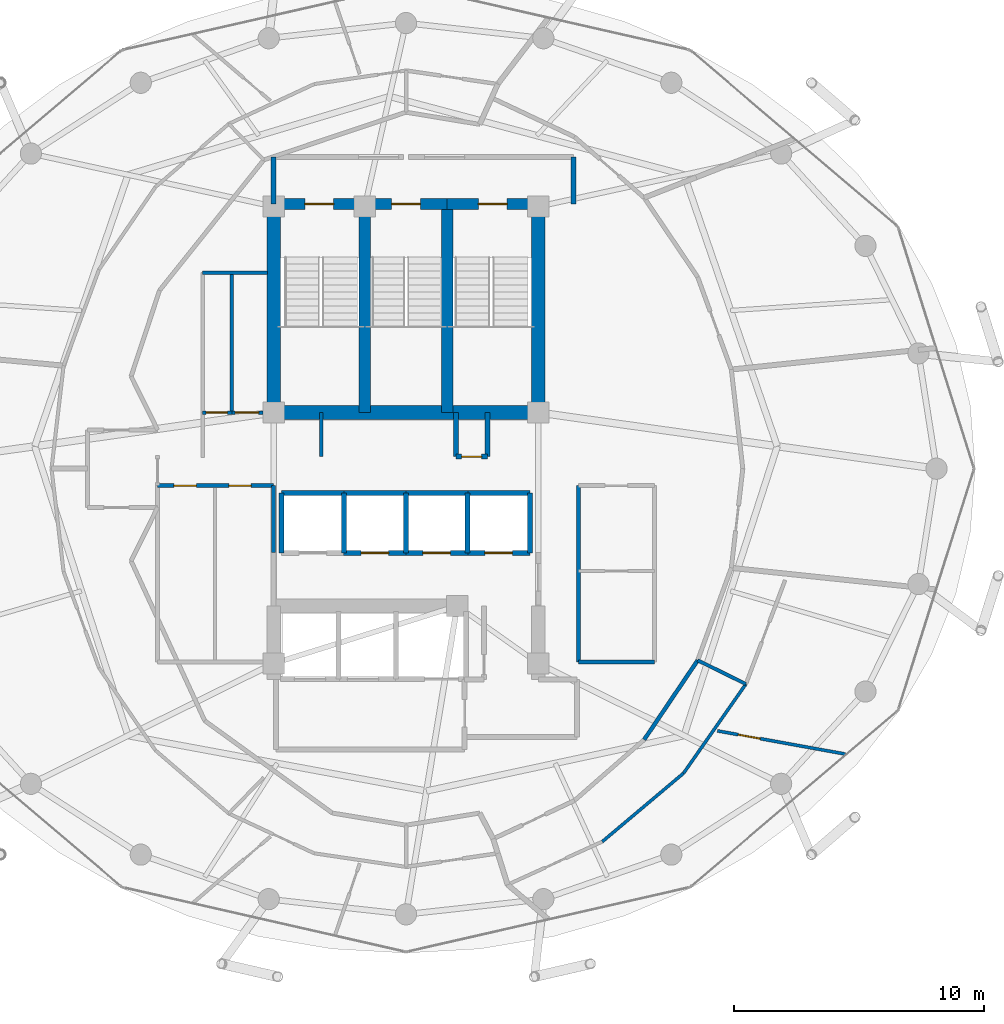
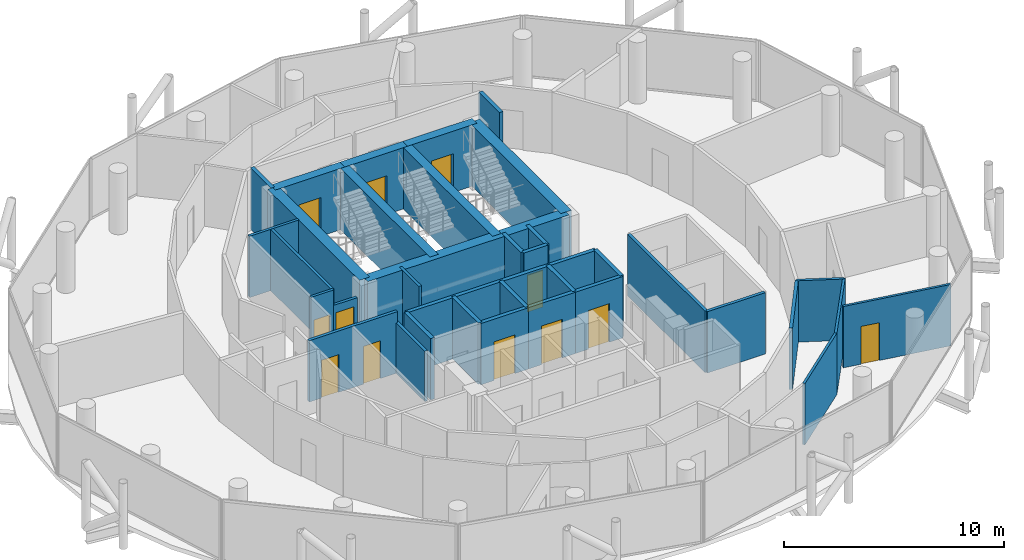
# One storey, part 24 of 27: 39 walls, 12 doors, 12 openings.
"""IFC4 building model written with IfcOpenShell, lengths in metres."""

from ifc_helpers import new_model, si_unit, direction, frame, frame_2d, origin, place, context, subcontext, project, spatial, rectangle, extrude, material, layer, layer_set, type_object, element, fill, save


model = new_model("IFC4")

# Units and contexts
model_context = context("Model", 3, precision=1e-05, world=origin(), true_north=direction((0.0, 1.0)))
body_context = subcontext(model_context, "Body", "Model", "MODEL_VIEW")
ifc_project = project(units=[si_unit("LENGTHUNIT", "METRE"), si_unit("AREAUNIT", "SQUARE_METRE"), si_unit("VOLUMEUNIT", "CUBIC_METRE"), si_unit("PLANEANGLEUNIT", "RADIAN"), si_unit("MASSUNIT", "GRAM", prefix="KILO")], contexts=[model_context])

# Site, building, storey
site_placement = place(None, origin())
site = spatial("IfcSite", under=ifc_project, at=site_placement, CompositionType="ELEMENT")
building_placement = place(site_placement, origin())
building = spatial("IfcBuilding", under=site, at=building_placement, Name="Nuhasar Tower", CompositionType="ELEMENT")
storey_placement = place(building_placement, frame((0.0, 0.0, 244.64990234375)))
storey = spatial("IfcBuildingStorey", under=building, at=storey_placement, Name="L60", CompositionType="ELEMENT", Elevation=244.64990234375)

# Wall, opening, door
ifc_material_1 = material(Name="Concrete C50/60", Category="concrete")
ifc_layer_1 = layer(ifc_material_1, 0.449951171875)
ifc_layer_set_1 = layer_set([ifc_layer_1], Name="Concrete C50/60")
wall_type_1 = type_object("IfcWallType", Name="WL-CORE-450", PredefinedType="SHEAR", material=ifc_layer_set_1)
wall_1_placement = place(storey_placement, frame((37.35009765625, 37.39990234375, 0.0), z_axis=(0.0, 0.0, 1.0), x_axis=(-1.0, 0.0, 0.0)))
wall_1 = element("IfcWall", 1, at=wall_1_placement, inside=storey, type_object=wall_type_1, Name="L60 Stairwell Shear Wall ST01-N", PredefinedType="SHEAR", context=body_context, shape_type="SweptSolid", body=[
    extrude(rectangle(XDim=3.650146484375, YDim=0.449951171875, at=frame_2d((1.8251953125, 0.0))), origin(), (0.0, 0.0, 1.0), 3.41015625),
])
opening_1_placement = place(wall_1_placement, frame((1.25, 0.0, 0.0)))
opening_1 = element("IfcOpeningElement", 2, at=opening_1_placement, cuts=wall_1, Name="Opening DS-01", PredefinedType="OPENING", context=body_context, shape_type="SweptSolid", body=[
    extrude(rectangle(XDim=1.14990234375, YDim=2.14990234375, at=frame_2d((0.574951171875, 1.074951171875))), frame((0.0, 0.23486328125, 0.0), z_axis=(0.0, -1.0, 0.0), x_axis=(1.0, 0.0, 0.0)), (0.0, 0.0, 1.0), 0.469970703125),
])
ifc_material_2 = material(Name="Steel S355", Category="steel")
door_type_1 = type_object("IfcDoorType", Name="DR-STAIR-FD120-1150", OperationType="NOTDEFINED", PredefinedType="DOOR", material=ifc_material_2)
door_1_placement = place(opening_1_placement, origin())
door_1 = element("IfcDoor", 3, at=door_1_placement, inside=storey, type_object=door_type_1, Name="L60 Exit Stair ST-01 Door", OperationType="SINGLE_SWING_RIGHT", OverallHeight=2.14990234375, OverallWidth=1.14990234375, PredefinedType="DOOR", context=body_context, shape_type="SweptSolid", body=[
    extrude(rectangle(XDim=1.14990234375, YDim=2.14990234375, at=frame_2d((0.574951171875, 1.074951171875))), frame((0.0, 0.02490234375, 0.0), z_axis=(0.0, -1.0, 0.0), x_axis=(1.0, 0.0, 0.0)), (0.0, 0.0, 1.0), 0.050048828125),
])
fill(opening_1, door_1)

# Wall
wall_2_placement = place(storey_placement, frame((37.35009765625, 29.050048828125, 0.0), z_axis=(0.0, 0.0, 1.0), x_axis=(0.0, 1.0, 0.0)))
element("IfcWall", 4, at=wall_2_placement, inside=storey, type_object=wall_type_1, Name="L60 Stairwell Shear Wall ST01-E", PredefinedType="SHEAR", context=body_context, shape_type="SweptSolid", body=[
    extrude(rectangle(XDim=8.349853515625, YDim=0.449951171875, at=frame_2d((4.1748046875, 0.0))), origin(), (0.0, 0.0, 1.0), 3.41015625),
])

# Wall, opening, door
wall_3_placement = place(storey_placement, frame((40.64990234375, 37.39990234375, 0.0), z_axis=(0.0, 0.0, 1.0), x_axis=(-1.0, 0.0, 0.0)))
wall_3 = element("IfcWall", 5, at=wall_3_placement, inside=storey, type_object=wall_type_1, Name="L60 Stairwell Shear Wall ST03-N", PredefinedType="SHEAR", context=body_context, shape_type="SweptSolid", body=[
    extrude(rectangle(XDim=3.2998046875, YDim=0.449951171875, at=frame_2d((1.64990234375, 0.0))), origin(), (0.0, 0.0, 1.0), 3.41015625),
])
opening_2_placement = place(wall_3_placement, frame((1.074951171875, 0.0, 0.0)))
opening_2 = element("IfcOpeningElement", 6, at=opening_2_placement, cuts=wall_3, Name="Opening DS-01", PredefinedType="OPENING", context=body_context, shape_type="SweptSolid", body=[
    extrude(rectangle(XDim=1.14990234375, YDim=2.14990234375, at=frame_2d((0.574951171875, 1.074951171875))), frame((0.0, 0.23486328125, 0.0), z_axis=(0.0, -1.0, 0.0), x_axis=(1.0, 0.0, 0.0)), (0.0, 0.0, 1.0), 0.469970703125),
])
door_2_placement = place(opening_2_placement, origin())
door_2 = element("IfcDoor", 7, at=door_2_placement, inside=storey, type_object=door_type_1, Name="L60 Exit Stair ST-03 Door", OperationType="SINGLE_SWING_RIGHT", OverallHeight=2.14990234375, OverallWidth=1.14990234375, PredefinedType="DOOR", context=body_context, shape_type="SweptSolid", body=[
    extrude(rectangle(XDim=1.14990234375, YDim=2.14990234375, at=frame_2d((0.574951171875, 1.074951171875))), frame((0.0, 0.02490234375, 0.0), z_axis=(0.0, -1.0, 0.0), x_axis=(1.0, 0.0, 0.0)), (0.0, 0.0, 1.0), 0.050048828125),
])
fill(opening_2, door_2)

# Wall
wall_4_placement = place(storey_placement, frame((40.64990234375, 29.050048828125, 0.0), z_axis=(0.0, 0.0, 1.0), x_axis=(0.0, 1.0, 0.0)))
element("IfcWall", 8, at=wall_4_placement, inside=storey, type_object=wall_type_1, Name="L60 Stairwell Shear Wall ST03-E", PredefinedType="SHEAR", context=body_context, shape_type="SweptSolid", body=[
    extrude(rectangle(XDim=8.349853515625, YDim=0.449951171875, at=frame_2d((4.1748046875, 0.0))), origin(), (0.0, 0.0, 1.0), 3.41015625),
])

# Wall, opening, door
wall_5_placement = place(storey_placement, frame((44.300048828125, 37.39990234375, 0.0), z_axis=(0.0, 0.0, 1.0), x_axis=(-1.0, 0.0, 0.0)))
wall_5 = element("IfcWall", 9, at=wall_5_placement, inside=storey, type_object=wall_type_1, Name="L60 Stairwell Shear Wall ST02-N", PredefinedType="SHEAR", context=body_context, shape_type="SweptSolid", body=[
    extrude(rectangle(XDim=3.650146484375, YDim=0.449951171875, at=frame_2d((1.8251953125, 0.0))), origin(), (0.0, 0.0, 1.0), 3.41015625),
])
opening_3_placement = place(wall_5_placement, frame((1.25, 0.0, 0.0)))
opening_3 = element("IfcOpeningElement", 10, at=opening_3_placement, cuts=wall_5, Name="Opening DS-01", PredefinedType="OPENING", context=body_context, shape_type="SweptSolid", body=[
    extrude(rectangle(XDim=1.14990234375, YDim=2.14990234375, at=frame_2d((0.574951171875, 1.074951171875))), frame((0.0, 0.23486328125, 0.0), z_axis=(0.0, -1.0, 0.0), x_axis=(1.0, 0.0, 0.0)), (0.0, 0.0, 1.0), 0.469970703125),
])
door_3_placement = place(opening_3_placement, origin())
door_3 = element("IfcDoor", 11, at=door_3_placement, inside=storey, type_object=door_type_1, Name="L60 Exit Stair ST-02 Door", OperationType="SINGLE_SWING_LEFT", OverallHeight=2.14990234375, OverallWidth=1.14990234375, PredefinedType="DOOR", context=body_context, shape_type="SweptSolid", body=[
    extrude(rectangle(XDim=1.14990234375, YDim=2.14990234375, at=frame_2d((0.574951171875, 1.074951171875))), frame((0.0, 0.02490234375, 0.0), z_axis=(0.0, -1.0, 0.0), x_axis=(1.0, 0.0, 0.0)), (0.0, 0.0, 1.0), 0.050048828125),
])
fill(opening_3, door_3)

# Walls
ifc_material_3 = material(Name="Concrete C55/67", Category="concrete")
ifc_layer_2 = layer(ifc_material_3, 0.550048828125)
ifc_layer_set_2 = layer_set([ifc_layer_2], Name="Concrete C55/67")
wall_type_2 = type_object("IfcWallType", Name="WL-CORE-550", PredefinedType="SHEAR", material=ifc_layer_set_2)
for number, where, z_axis, x_axis, name in (
    (12, (33.699951171875, 29.050048828125, 0.0), (0.0, 0.0, 1.0), (0.0, 1.0, 0.0), "L60 Core Shear Wall CW-NW CW-550"),
    (13, (44.300048828125, 29.050048828125, 0.0), (0.0, 0.0, 1.0), (0.0, 1.0, 0.0), "L60 Core Shear Wall CW-NE CW-550"),
):
    element("IfcWall", number, at=place(storey_placement, frame(where, z_axis=z_axis, x_axis=x_axis)), inside=storey, type_object=wall_type_2, Name=name, PredefinedType="SHEAR", context=body_context, shape_type="SweptSolid", body=[
        extrude(rectangle(XDim=8.349853515625, YDim=0.550048828125, at=frame_2d((4.1748046875, 0.0))), origin(), (0.0, 0.0, 1.0), 3.41015625),
    ])
wall_6_placement = place(storey_placement, frame((33.699951171875, 29.050048828125, 0.0), z_axis=(0.0, 0.0, 1.0), x_axis=(1.0, 0.0, 0.0)))
element("IfcWall", 14, at=wall_6_placement, inside=storey, type_object=wall_type_2, Name="L60 Core Shear Wall CW-N1 CW-550", PredefinedType="SHEAR", context=body_context, shape_type="SweptSolid", body=[
    extrude(rectangle(XDim=10.60009765625, YDim=0.550048828125, at=frame_2d((5.300048828125, 0.0))), origin(), (0.0, 0.0, 1.0), 3.41015625),
])
ifc_material_4 = material(Name="Gypsum Board", Category="gypsum")
ifc_layer_3 = layer(ifc_material_4, 0.159912109375)
ifc_layer_set_3 = layer_set([ifc_layer_3], Name="Gypsum Board")
wall_type_3 = type_object("IfcWallType", Name="WL-CORR-160", PredefinedType="PARTITIONING", material=ifc_layer_set_3)
wall_7_placement = place(storey_placement, frame((33.699951171875, 23.449951171875, 0.0), z_axis=(0.0, 0.0, 1.0), x_axis=(0.0, 1.0, 0.0)))
element("IfcWall", 15, at=wall_7_placement, inside=storey, type_object=wall_type_3, Name="L60 Interior Partition RECL-B1-E", PredefinedType="PARTITIONING", context=body_context, shape_type="SweptSolid", body=[
    extrude(rectangle(XDim=2.670166015625, YDim=0.159912109375, at=frame_2d((1.3349609375, 0.0))), origin(), (0.0, 0.0, 1.0), 2.795166015625),
])

# Wall, openings, doors
wall_8_placement = place(storey_placement, frame((33.699951171875, 26.1201171875, 0.0), z_axis=(0.0, 0.0, 1.0), x_axis=(-1.0, 0.0, 0.0)))
wall_8 = element("IfcWall", 16, at=wall_8_placement, inside=storey, type_object=wall_type_3, Name="L60 Interior Partition RECL-B1-N", PredefinedType="PARTITIONING", context=body_context, shape_type="SweptSolid", body=[
    extrude(rectangle(XDim=4.64990234375, YDim=0.159912109375, at=frame_2d((2.324951171875, 0.0))), origin(), (0.0, 0.0, 1.0), 3.41015625),
])
opening_4_placement = place(wall_8_placement, frame((3.10009765625, 0.0, 0.0)))
opening_4 = element("IfcOpeningElement", 17, at=opening_4_placement, cuts=wall_8, Name="Opening DR-01", PredefinedType="OPENING", context=body_context, shape_type="SweptSolid", body=[
    extrude(rectangle(XDim=0.89990234375, YDim=2.10009765625, at=frame_2d((0.449951171875, 1.050048828125))), frame((0.0, 0.08984375, 0.0), z_axis=(0.0, -1.0, 0.0), x_axis=(1.0, 0.0, 0.0)), (0.0, 0.0, 1.0), 0.179931640625),
])
opening_5_placement = place(wall_8_placement, frame((0.89990234375, 0.0, 0.0)))
opening_5 = element("IfcOpeningElement", 18, at=opening_5_placement, cuts=wall_8, Name="Opening DR-01", PredefinedType="OPENING", context=body_context, shape_type="SweptSolid", body=[
    extrude(rectangle(XDim=0.89990234375, YDim=2.10009765625, at=frame_2d((0.449951171875, 1.050048828125))), frame((0.0, 0.08984375, 0.0), z_axis=(0.0, -1.0, 0.0), x_axis=(1.0, 0.0, 0.0)), (0.0, 0.0, 1.0), 0.179931640625),
])
ifc_material_5 = material(Name="Timber Oak", Category="wood")
door_type_2 = type_object("IfcDoorType", Name="DR-ROOM-900", OperationType="NOTDEFINED", PredefinedType="DOOR", material=ifc_material_5)
door_4_placement = place(opening_4_placement, origin())
door_4 = element("IfcDoor", 19, at=door_4_placement, inside=storey, type_object=door_type_2, Name="L60 Housekeeping Door", OperationType="SINGLE_SWING_RIGHT", OverallHeight=2.10009765625, OverallWidth=0.89990234375, PredefinedType="DOOR", context=body_context, shape_type="SweptSolid", body=[
    extrude(rectangle(XDim=0.89990234375, YDim=2.10009765625, at=frame_2d((0.449951171875, 1.050048828125))), frame((0.0, 0.02490234375, 0.0), z_axis=(0.0, -1.0, 0.0), x_axis=(1.0, 0.0, 0.0)), (0.0, 0.0, 1.0), 0.050048828125),
])
fill(opening_4, door_4)
door_5_placement = place(opening_5_placement, origin())
door_5 = element("IfcDoor", 20, at=door_5_placement, inside=storey, type_object=door_type_2, Name="L60 Valet Pantry Door", OperationType="SINGLE_SWING_LEFT", OverallHeight=2.10009765625, OverallWidth=0.89990234375, PredefinedType="DOOR", context=body_context, shape_type="SweptSolid", body=[
    extrude(rectangle(XDim=0.89990234375, YDim=2.10009765625, at=frame_2d((0.449951171875, 1.050048828125))), frame((0.0, 0.02490234375, 0.0), z_axis=(0.0, -1.0, 0.0), x_axis=(1.0, 0.0, 0.0)), (0.0, 0.0, 1.0), 0.050048828125),
])
fill(opening_5, door_5)

# Walls
wall_9_placement = place(storey_placement, frame((45.89990234375, 19.050048828125, 0.0), z_axis=(0.0, 0.0, 1.0), x_axis=(1.0, 0.0, 0.0)))
element("IfcWall", 21, at=wall_9_placement, inside=storey, type_object=wall_type_3, Name="L60 Interior Partition RECL-B2-S", PredefinedType="PARTITIONING", context=body_context, shape_type="SweptSolid", body=[
    extrude(rectangle(XDim=3.050048828125, YDim=0.159912109375, at=frame_2d((1.52490234375, 0.0))), origin(), (0.0, 0.0, 1.0), 3.41015625),
])
wall_10_placement = place(storey_placement, frame((45.89990234375, 19.050048828125, 0.0), z_axis=(0.0, 0.0, 1.0), x_axis=(0.0, 1.0, 0.0)))
element("IfcWall", 22, at=wall_10_placement, inside=storey, type_object=wall_type_3, Name="L60 Interior Partition RECL-B2-W", PredefinedType="PARTITIONING", context=body_context, shape_type="SweptSolid", body=[
    extrude(rectangle(XDim=7.070068359375, YDim=0.159912109375, at=frame_2d((3.53515625, 0.0))), origin(), (0.0, 0.0, 1.0), 3.41015625),
])
wall_11_placement = place(storey_placement, frame((48.5390625, 15.946044921875, 0.0), z_axis=(0.0, 0.0, 1.0), x_axis=(0.55915897058, 0.829060459568, 0.0)))
element("IfcWall", 23, at=wall_11_placement, inside=storey, type_object=wall_type_3, Name="L60 Interior Partition CORR-42", PredefinedType="PARTITIONING", context=body_context, shape_type="SweptSolid", body=[
    extrude(rectangle(XDim=3.83447265625, YDim=0.159912109375, at=frame_2d((1.917236328125, 0.0))), origin(), (0.0, 0.0, 1.0), 3.41015625),
])
ifc_material_6 = material(Name="Concrete C45/55", Category="concrete")
ifc_layer_4 = layer(ifc_material_6, 0.199951171875)
ifc_layer_set_4 = layer_set([ifc_layer_4], Name="Concrete C45/55")
wall_type_4 = type_object("IfcWallType", Name="WL-LOBBY-200", PredefinedType="SOLIDWALL", material=ifc_layer_set_4)
for number, where, z_axis, x_axis, name in (
    (24, (33.699951171875, 37.39990234375, 0.0), (0.0, 0.0, 1.0), (0.0, 1.0, 0.0), "L60 Interior Partition NSL-W"),
    (25, (45.699951171875, 37.39990234375, 0.0), (0.0, 0.0, 1.0), (0.0, 1.0, 0.0), "L60 Interior Partition NSL-E"),
):
    element("IfcWall", number, at=place(storey_placement, frame(where, z_axis=z_axis, x_axis=x_axis)), inside=storey, type_object=wall_type_4, Name=name, PredefinedType="SOLIDWALL", context=body_context, shape_type="SweptSolid", body=[
        extrude(rectangle(XDim=1.880126953125, YDim=0.199951171875, at=frame_2d((0.93994140625, 0.0))), origin(), (0.0, 0.0, 1.0), 3.41015625),
    ])
ifc_layer_5 = layer(ifc_material_4, 0.125)
ifc_layer_set_5 = layer_set([ifc_layer_5], Name="Gypsum Board")
wall_type_5 = type_object("IfcWallType", Name="WL-PART-125", PredefinedType="PARTITIONING", material=ifc_layer_set_5)
wall_12_placement = place(storey_placement, frame((46.860107421875, 11.861083984375, 0.0), z_axis=(0.0, 0.0, 1.0), x_axis=(0.765004906077, 0.644024451149, 0.0)))
element("IfcWall", 26, at=wall_12_placement, inside=storey, type_object=wall_type_5, Name="L60 Interior Partition UMID-01-A-40", PredefinedType="PARTITIONING", context=body_context, shape_type="SweptSolid", body=[
    extrude(rectangle(XDim=4.256103515625, YDim=0.125, at=frame_2d((2.1279296875, 0.0))), origin(), (0.0, 0.0, 1.0), 3.41015625),
])
wall_13_placement = place(storey_placement, frame((50.115966796875, 14.60205078125, 0.0), z_axis=(0.0, 0.0, 1.0), x_axis=(0.572992451041, 0.819560645132, 0.0)))
element("IfcWall", 27, at=wall_13_placement, inside=storey, type_object=wall_type_5, Name="L60 Interior Partition UMID-01-A-42", PredefinedType="PARTITIONING", context=body_context, shape_type="SweptSolid", body=[
    extrude(rectangle(XDim=4.359619140625, YDim=0.125, at=frame_2d((2.1796875, 0.0))), origin(), (0.0, 0.0, 1.0), 3.41015625),
])

# Wall, opening, door
wall_14_placement = place(storey_placement, frame((51.471923828125, 16.299072265625, 0.0), z_axis=(0.0, 0.0, 1.0), x_axis=(0.983950739816, -0.178440302665, 0.0)))
wall_14 = element("IfcWall", 28, at=wall_14_placement, inside=storey, type_object=wall_type_5, Name="L60 Interior Partition UOUT-01-B1", PredefinedType="PARTITIONING", context=body_context, shape_type="SweptSolid", body=[
    extrude(rectangle(XDim=5.212890625, YDim=0.125, at=frame_2d((2.6064453125, 0.0))), origin(), (0.0, 0.0, 1.0), 3.41015625),
])
opening_6_placement = place(wall_14_placement, frame((0.85009765625, 0.0, 0.0)))
opening_6 = element("IfcOpeningElement", 29, at=opening_6_placement, cuts=wall_14, Name="Opening DR-01", PredefinedType="OPENING", context=body_context, shape_type="SweptSolid", body=[
    extrude(rectangle(XDim=0.89990234375, YDim=2.10009765625, at=frame_2d((0.449951171875, 1.050048828125))), frame((0.0, 0.072509765625, 0.0), z_axis=(0.0, -1.0, 0.0), x_axis=(1.0, 0.0, 0.0)), (0.0, 0.0, 1.0), 0.14501953125),
])
door_6_placement = place(opening_6_placement, origin())
door_6 = element("IfcDoor", 30, at=door_6_placement, inside=storey, type_object=door_type_2, Name="L60 U01 Bedroom Door", OperationType="SINGLE_SWING_LEFT", OverallHeight=2.10009765625, OverallWidth=0.89990234375, PredefinedType="DOOR", context=body_context, shape_type="SweptSolid", body=[
    extrude(rectangle(XDim=0.89990234375, YDim=2.10009765625, at=frame_2d((0.449951171875, 1.050048828125))), frame((0.0, 0.02490234375, 0.0), z_axis=(0.0, -1.0, 0.0), x_axis=(1.0, 0.0, 0.0)), (0.0, 0.0, 1.0), 0.050048828125),
])
fill(opening_6, door_6)

# Walls
ifc_layer_6 = layer(ifc_material_6, 0.199951171875)
ifc_layer_set_6 = layer_set([ifc_layer_6], Name="Concrete C45/55")
wall_type_6 = type_object("IfcWallType", Name="WL-SHAFT-200", PredefinedType="SOLIDWALL", material=ifc_layer_set_6)
for number, where, z_axis, x_axis, name in (
    (31, (41.0, 27.280029296875, 0.0), (0.0, 0.0, 1.0), (0.0, 1.0, 0.0), "L60 Interior Partition RSRN-W"),
    (32, (42.260009765625, 27.280029296875, 0.0), (0.0, 0.0, 1.0), (0.0, 1.0, 0.0), "L60 Interior Partition RSRN-E"),
):
    element("IfcWall", number, at=place(storey_placement, frame(where, z_axis=z_axis, x_axis=x_axis)), inside=storey, type_object=wall_type_6, Name=name, PredefinedType="SOLIDWALL", context=body_context, shape_type="SweptSolid", body=[
        extrude(rectangle(XDim=1.77001953125, YDim=0.199951171875, at=frame_2d((0.885009765625, 0.0))), origin(), (0.0, 0.0, 1.0), 3.41015625),
    ])

# Wall, opening, door
wall_15_placement = place(storey_placement, frame((41.0, 27.280029296875, 0.0), z_axis=(0.0, 0.0, 1.0), x_axis=(1.0, 0.0, 0.0)))
wall_15 = element("IfcWall", 33, at=wall_15_placement, inside=storey, type_object=wall_type_6, Name="L60 Interior Partition RSRN-S", PredefinedType="SOLIDWALL", context=body_context, shape_type="SweptSolid", body=[
    extrude(rectangle(XDim=1.260009765625, YDim=0.199951171875, at=frame_2d((0.6298828125, 0.0))), origin(), (0.0, 0.0, 1.0), 3.41015625),
])
opening_7_placement = place(wall_15_placement, frame((0.22998046875, 0.0, 0.0)))
opening_7 = element("IfcOpeningElement", 34, at=opening_7_placement, cuts=wall_15, Name="Opening DM-01", PredefinedType="OPENING", context=body_context, shape_type="SweptSolid", body=[
    extrude(rectangle(XDim=0.800048828125, YDim=2.050048828125, at=frame_2d((0.39990234375, 1.02490234375))), frame((0.0, 0.10986328125, 0.0), z_axis=(0.0, -1.0, 0.0), x_axis=(1.0, 0.0, 0.0)), (0.0, 0.0, 1.0), 0.219970703125),
])
door_type_3 = type_object("IfcDoorType", Name="DR-RISER-FD60-800", OperationType="NOTDEFINED", PredefinedType="DOOR", material=ifc_material_2)
door_7_placement = place(opening_7_placement, origin())
door_7 = element("IfcDoor", 35, at=door_7_placement, inside=storey, type_object=door_type_3, Name="L60 North Smoke Riser Door", OperationType="SINGLE_SWING_RIGHT", OverallHeight=2.050048828125, OverallWidth=0.800048828125, PredefinedType="DOOR", context=body_context, shape_type="SweptSolid", body=[
    extrude(rectangle(XDim=0.800048828125, YDim=2.050048828125, at=frame_2d((0.39990234375, 1.02490234375))), frame((0.0, 0.02490234375, 0.0), z_axis=(0.0, -1.0, 0.0), x_axis=(1.0, 0.0, 0.0)), (0.0, 0.0, 1.0), 0.050048828125),
])
fill(opening_7, door_7)

# Walls
wall_16_placement = place(storey_placement, frame((34.02001953125, 25.830078125, 0.0), z_axis=(0.0, 0.0, 1.0), x_axis=(1.0, 0.0, 0.0)))
element("IfcWall", 36, at=wall_16_placement, inside=storey, type_object=wall_type_6, Name="L60 Interior Partition SHF-PL-H01-N", PredefinedType="SOLIDWALL", context=body_context, shape_type="SweptSolid", body=[
    extrude(rectangle(XDim=2.5, YDim=0.199951171875, at=frame_2d((1.25, 0.0))), origin(), (0.0, 0.0, 1.0), 3.41015625),
])
for number, where, z_axis, x_axis, name in (
    (37, (34.02001953125, 23.419921875, 0.0), (0.0, 0.0, 1.0), (0.0, 1.0, 0.0), "L60 Interior Partition SHF-PL-H01-W"),
    (38, (36.510009765625, 23.419921875, 0.0), (0.0, 0.0, 1.0), (0.0, 1.0, 0.0), "L60 Interior Partition SHF-PL-H01-E"),
):
    element("IfcWall", number, at=place(storey_placement, frame(where, z_axis=z_axis, x_axis=x_axis)), inside=storey, type_object=wall_type_6, Name=name, PredefinedType="SOLIDWALL", context=body_context, shape_type="SweptSolid", body=[
        extrude(rectangle(XDim=2.41015625, YDim=0.199951171875, at=frame_2d((1.205078125, 0.0))), origin(), (0.0, 0.0, 1.0), 3.41015625),
    ])

# Wall, opening, door
wall_17_placement = place(storey_placement, frame((36.5, 23.419921875, 0.0), z_axis=(0.0, 0.0, 1.0), x_axis=(1.0, 0.0, 0.0)))
wall_17 = element("IfcWall", 39, at=wall_17_placement, inside=storey, type_object=wall_type_6, Name="L60 Interior Partition SHF-PL-H02-S", PredefinedType="SOLIDWALL", context=body_context, shape_type="SweptSolid", body=[
    extrude(rectangle(XDim=2.5, YDim=0.199951171875, at=frame_2d((1.25, 0.0))), origin(), (0.0, 0.0, 1.0), 3.41015625),
])
opening_8_placement = place(wall_17_placement, frame((0.699951171875, 0.0, 0.0)))
opening_8 = element("IfcOpeningElement", 40, at=opening_8_placement, cuts=wall_17, Name="Opening LD-H02", PredefinedType="OPENING", context=body_context, shape_type="SweptSolid", body=[
    extrude(rectangle(XDim=1.10009765625, YDim=2.14990234375, at=frame_2d((0.550048828125, 1.074951171875))), frame((0.0, 0.10986328125, 0.0), z_axis=(0.0, -1.0, 0.0), x_axis=(1.0, 0.0, 0.0)), (0.0, 0.0, 1.0), 0.219970703125),
])
ifc_material_7 = material(Name="Stainless Steel 316L", Category="steel")
door_type_4 = type_object("IfcDoorType", Name="LD-PAX-1100", OperationType="DOUBLE_DOOR_SLIDING", PredefinedType="DOOR", material=ifc_material_7)
door_8_placement = place(opening_8_placement, origin())
door_8 = element("IfcDoor", 41, at=door_8_placement, inside=storey, type_object=door_type_4, Name="L60 Lift Landing Door PL-H02", OperationType="DOUBLE_DOOR_SLIDING", OverallHeight=2.14990234375, OverallWidth=1.10009765625, PredefinedType="DOOR", context=body_context, shape_type="SweptSolid", body=[
    extrude(rectangle(XDim=1.10009765625, YDim=2.14990234375, at=frame_2d((0.550048828125, 1.074951171875))), frame((0.0, 0.02490234375, 0.0), z_axis=(0.0, -1.0, 0.0), x_axis=(1.0, 0.0, 0.0)), (0.0, 0.0, 1.0), 0.050048828125),
])
fill(opening_8, door_8)

# Walls
wall_18_placement = place(storey_placement, frame((36.5, 25.830078125, 0.0), z_axis=(0.0, 0.0, 1.0), x_axis=(1.0, 0.0, 0.0)))
element("IfcWall", 42, at=wall_18_placement, inside=storey, type_object=wall_type_6, Name="L60 Interior Partition SHF-PL-H02-N", PredefinedType="SOLIDWALL", context=body_context, shape_type="SweptSolid", body=[
    extrude(rectangle(XDim=2.5, YDim=0.199951171875, at=frame_2d((1.25, 0.0))), origin(), (0.0, 0.0, 1.0), 3.41015625),
])
wall_19_placement = place(storey_placement, frame((38.989990234375, 23.419921875, 0.0), z_axis=(0.0, 0.0, 1.0), x_axis=(0.0, 1.0, 0.0)))
element("IfcWall", 43, at=wall_19_placement, inside=storey, type_object=wall_type_6, Name="L60 Interior Partition SHF-PL-H02-E", PredefinedType="SOLIDWALL", context=body_context, shape_type="SweptSolid", body=[
    extrude(rectangle(XDim=2.41015625, YDim=0.199951171875, at=frame_2d((1.205078125, 0.0))), origin(), (0.0, 0.0, 1.0), 3.41015625),
])

# Wall, opening, door
wall_20_placement = place(storey_placement, frame((38.97998046875, 23.419921875, 0.0), z_axis=(0.0, 0.0, 1.0), x_axis=(1.0, 0.0, 0.0)))
wall_20 = element("IfcWall", 44, at=wall_20_placement, inside=storey, type_object=wall_type_6, Name="L60 Interior Partition SHF-PL-H03-S", PredefinedType="SOLIDWALL", context=body_context, shape_type="SweptSolid", body=[
    extrude(rectangle(XDim=2.5, YDim=0.199951171875, at=frame_2d((1.25, 0.0))), origin(), (0.0, 0.0, 1.0), 3.41015625),
])
opening_9_placement = place(wall_20_placement, frame((0.699951171875, 0.0, 0.0)))
opening_9 = element("IfcOpeningElement", 45, at=opening_9_placement, cuts=wall_20, Name="Opening LD-H03", PredefinedType="OPENING", context=body_context, shape_type="SweptSolid", body=[
    extrude(rectangle(XDim=1.10009765625, YDim=2.14990234375, at=frame_2d((0.550048828125, 1.074951171875))), frame((0.0, 0.10986328125, 0.0), z_axis=(0.0, -1.0, 0.0), x_axis=(1.0, 0.0, 0.0)), (0.0, 0.0, 1.0), 0.219970703125),
])
door_9_placement = place(opening_9_placement, origin())
door_9 = element("IfcDoor", 46, at=door_9_placement, inside=storey, type_object=door_type_4, Name="L60 Lift Landing Door PL-H03", OperationType="DOUBLE_DOOR_SLIDING", OverallHeight=2.14990234375, OverallWidth=1.10009765625, PredefinedType="DOOR", context=body_context, shape_type="SweptSolid", body=[
    extrude(rectangle(XDim=1.10009765625, YDim=2.14990234375, at=frame_2d((0.550048828125, 1.074951171875))), frame((0.0, 0.02490234375, 0.0), z_axis=(0.0, -1.0, 0.0), x_axis=(1.0, 0.0, 0.0)), (0.0, 0.0, 1.0), 0.050048828125),
])
fill(opening_9, door_9)

# Walls
wall_21_placement = place(storey_placement, frame((38.97998046875, 25.830078125, 0.0), z_axis=(0.0, 0.0, 1.0), x_axis=(1.0, 0.0, 0.0)))
element("IfcWall", 47, at=wall_21_placement, inside=storey, type_object=wall_type_6, Name="L60 Interior Partition SHF-PL-H03-N", PredefinedType="SOLIDWALL", context=body_context, shape_type="SweptSolid", body=[
    extrude(rectangle(XDim=2.5, YDim=0.199951171875, at=frame_2d((1.25, 0.0))), origin(), (0.0, 0.0, 1.0), 3.41015625),
])
wall_22_placement = place(storey_placement, frame((41.469970703125, 23.419921875, 0.0), z_axis=(0.0, 0.0, 1.0), x_axis=(0.0, 1.0, 0.0)))
element("IfcWall", 48, at=wall_22_placement, inside=storey, type_object=wall_type_6, Name="L60 Interior Partition SHF-PL-H03-E", PredefinedType="SOLIDWALL", context=body_context, shape_type="SweptSolid", body=[
    extrude(rectangle(XDim=2.41015625, YDim=0.199951171875, at=frame_2d((1.205078125, 0.0))), origin(), (0.0, 0.0, 1.0), 3.41015625),
])

# Wall, opening, door
wall_23_placement = place(storey_placement, frame((41.4599609375, 23.419921875, 0.0), z_axis=(0.0, 0.0, 1.0), x_axis=(1.0, 0.0, 0.0)))
wall_23 = element("IfcWall", 49, at=wall_23_placement, inside=storey, type_object=wall_type_6, Name="L60 Interior Partition SHF-PL-H04-S", PredefinedType="SOLIDWALL", context=body_context, shape_type="SweptSolid", body=[
    extrude(rectangle(XDim=2.5, YDim=0.199951171875, at=frame_2d((1.25, 0.0))), origin(), (0.0, 0.0, 1.0), 3.41015625),
])
opening_10_placement = place(wall_23_placement, frame((0.699951171875, 0.0, 0.0)))
opening_10 = element("IfcOpeningElement", 50, at=opening_10_placement, cuts=wall_23, Name="Opening LD-H04", PredefinedType="OPENING", context=body_context, shape_type="SweptSolid", body=[
    extrude(rectangle(XDim=1.10009765625, YDim=2.14990234375, at=frame_2d((0.550048828125, 1.074951171875))), frame((0.0, 0.10986328125, 0.0), z_axis=(0.0, -1.0, 0.0), x_axis=(1.0, 0.0, 0.0)), (0.0, 0.0, 1.0), 0.219970703125),
])
door_10_placement = place(opening_10_placement, origin())
door_10 = element("IfcDoor", 51, at=door_10_placement, inside=storey, type_object=door_type_4, Name="L60 Lift Landing Door PL-H04", OperationType="DOUBLE_DOOR_SLIDING", OverallHeight=2.14990234375, OverallWidth=1.10009765625, PredefinedType="DOOR", context=body_context, shape_type="SweptSolid", body=[
    extrude(rectangle(XDim=1.10009765625, YDim=2.14990234375, at=frame_2d((0.550048828125, 1.074951171875))), frame((0.0, 0.02490234375, 0.0), z_axis=(0.0, -1.0, 0.0), x_axis=(1.0, 0.0, 0.0)), (0.0, 0.0, 1.0), 0.050048828125),
])
fill(opening_10, door_10)

# Walls
wall_24_placement = place(storey_placement, frame((41.4599609375, 25.830078125, 0.0), z_axis=(0.0, 0.0, 1.0), x_axis=(1.0, 0.0, 0.0)))
element("IfcWall", 52, at=wall_24_placement, inside=storey, type_object=wall_type_6, Name="L60 Interior Partition SHF-PL-H04-N", PredefinedType="SOLIDWALL", context=body_context, shape_type="SweptSolid", body=[
    extrude(rectangle(XDim=2.5, YDim=0.199951171875, at=frame_2d((1.25, 0.0))), origin(), (0.0, 0.0, 1.0), 3.41015625),
])
wall_25_placement = place(storey_placement, frame((43.9599609375, 23.419921875, 0.0), z_axis=(0.0, 0.0, 1.0), x_axis=(0.0, 1.0, 0.0)))
element("IfcWall", 53, at=wall_25_placement, inside=storey, type_object=wall_type_6, Name="L60 Interior Partition SHF-PL-H04-E", PredefinedType="SOLIDWALL", context=body_context, shape_type="SweptSolid", body=[
    extrude(rectangle(XDim=2.41015625, YDim=0.199951171875, at=frame_2d((1.205078125, 0.0))), origin(), (0.0, 0.0, 1.0), 3.41015625),
])
ifc_material_8 = material(Name="Concrete C40/50 precast", Category="concrete")
ifc_layer_7 = layer(ifc_material_8, 0.139892578125)
ifc_layer_set_7 = layer_set([ifc_layer_7], Name="Concrete C40/50 precast")
wall_type_7 = type_object("IfcWallType", Name="WL-WET-140", PredefinedType="PARTITIONING", material=ifc_layer_set_7)
wall_26_placement = place(storey_placement, frame((35.60009765625, 27.280029296875, 0.0), z_axis=(0.0, 0.0, 1.0), x_axis=(0.0, 1.0, 0.0)))
element("IfcWall", 54, at=wall_26_placement, inside=storey, type_object=wall_type_7, Name="L60 Interior Partition CSVC-W", PredefinedType="PARTITIONING", context=body_context, shape_type="SweptSolid", body=[
    extrude(rectangle(XDim=1.77001953125, YDim=0.139892578125, at=frame_2d((0.885009765625, 0.0))), origin(), (0.0, 0.0, 1.0), 3.41015625),
])

# Wall, opening, door
wall_27_placement = place(storey_placement, frame((30.85009765625, 29.050048828125, 0.0), z_axis=(0.0, 0.0, 1.0), x_axis=(1.0, 0.0, 0.0)))
wall_27 = element("IfcWall", 55, at=wall_27_placement, inside=storey, type_object=wall_type_7, Name="L60 Interior Partition K2-NW-S", PredefinedType="PARTITIONING", context=body_context, shape_type="SweptSolid", body=[
    extrude(rectangle(XDim=1.179931640625, YDim=0.139892578125, at=frame_2d((0.58984375, 0.0))), origin(), (0.0, 0.0, 1.0), 3.41015625),
])
opening_11_placement = place(wall_27_placement, frame((0.139892578125, 0.0, 0.0)))
opening_11 = element("IfcOpeningElement", 56, at=opening_11_placement, cuts=wall_27, Name="Opening DB-01", PredefinedType="OPENING", context=body_context, shape_type="SweptSolid", body=[
    extrude(rectangle(XDim=0.85009765625, YDim=2.10009765625, at=frame_2d((0.425048828125, 1.050048828125))), frame((0.0, 0.080078125, 0.0), z_axis=(0.0, -1.0, 0.0), x_axis=(1.0, 0.0, 0.0)), (0.0, 0.0, 1.0), 0.159912109375),
])
door_type_5 = type_object("IfcDoorType", Name="DR-BATH-850", OperationType="NOTDEFINED", PredefinedType="DOOR", material=ifc_material_5)
door_11_placement = place(opening_11_placement, origin())
door_11 = element("IfcDoor", 57, at=door_11_placement, inside=storey, type_object=door_type_5, Name="L60 NW Female WC Door", OperationType="SINGLE_SWING_LEFT", OverallHeight=2.10009765625, OverallWidth=0.85009765625, PredefinedType="DOOR", context=body_context, shape_type="SweptSolid", body=[
    extrude(rectangle(XDim=0.85009765625, YDim=2.10009765625, at=frame_2d((0.425048828125, 1.050048828125))), frame((0.0, 0.02490234375, 0.0), z_axis=(0.0, -1.0, 0.0), x_axis=(1.0, 0.0, 0.0)), (0.0, 0.0, 1.0), 0.050048828125),
])
fill(opening_11, door_11)

wall_28_placement = place(storey_placement, frame((32.030029296875, 29.050048828125, 0.0), z_axis=(0.0, 0.0, 1.0), x_axis=(1.0, 0.0, 0.0)))
wall_28 = element("IfcWall", 58, at=wall_28_placement, inside=storey, type_object=wall_type_7, Name="L60 Interior Partition K2-NW-S", PredefinedType="PARTITIONING", context=body_context, shape_type="SweptSolid", body=[
    extrude(rectangle(XDim=1.25, YDim=0.139892578125, at=frame_2d((0.625, 0.0))), origin(), (0.0, 0.0, 1.0), 2.550048828125),
])
opening_12_placement = place(wall_28_placement, frame((0.1201171875, 0.0, 0.0)))
opening_12 = element("IfcOpeningElement", 59, at=opening_12_placement, cuts=wall_28, Name="Opening DA-01", PredefinedType="OPENING", context=body_context, shape_type="SweptSolid", body=[
    extrude(rectangle(XDim=0.949951171875, YDim=2.10009765625, at=frame_2d((0.47509765625, 1.050048828125))), frame((0.0, 0.080078125, 0.0), z_axis=(0.0, -1.0, 0.0), x_axis=(1.0, 0.0, 0.0)), (0.0, 0.0, 1.0), 0.159912109375),
])
door_type_6 = type_object("IfcDoorType", Name="DR-ACCWC-950", OperationType="NOTDEFINED", PredefinedType="DOOR", material=ifc_material_5)
door_12_placement = place(opening_12_placement, origin())
door_12 = element("IfcDoor", 60, at=door_12_placement, inside=storey, type_object=door_type_6, Name="L60 NW Accessible WC Door", OperationType="SINGLE_SWING_RIGHT", OverallHeight=2.10009765625, OverallWidth=0.949951171875, PredefinedType="DOOR", context=body_context, shape_type="SweptSolid", body=[
    extrude(rectangle(XDim=0.949951171875, YDim=2.10009765625, at=frame_2d((0.47509765625, 1.050048828125))), frame((0.0, 0.02490234375, 0.0), z_axis=(0.0, -1.0, 0.0), x_axis=(1.0, 0.0, 0.0)), (0.0, 0.0, 1.0), 0.050048828125),
])
fill(opening_12, door_12)

# Walls
wall_29_placement = place(storey_placement, frame((32.02001953125, 29.050048828125, 0.0), z_axis=(0.0, 0.0, 1.0), x_axis=(0.0, 1.0, 0.0)))
element("IfcWall", 61, at=wall_29_placement, inside=storey, type_object=wall_type_7, Name="L60 Interior Partition K2-NW-V", PredefinedType="PARTITIONING", context=body_context, shape_type="SweptSolid", body=[
    extrude(rectangle(XDim=5.599853515625, YDim=0.139892578125, at=frame_2d((2.7998046875, 0.0))), origin(), (0.0, 0.0, 1.0), 3.41015625),
])
wall_30_placement = place(storey_placement, frame((30.85009765625, 34.64990234375, 0.0), z_axis=(0.0, 0.0, 1.0), x_axis=(1.0, 0.0, 0.0)))
element("IfcWall", 62, at=wall_30_placement, inside=storey, type_object=wall_type_7, Name="L60 Interior Partition K2-NW-N", PredefinedType="PARTITIONING", context=body_context, shape_type="SweptSolid", body=[
    extrude(rectangle(XDim=2.599853515625, YDim=0.139892578125, at=frame_2d((1.2998046875, 0.0))), origin(), (0.0, 0.0, 1.0), 3.41015625),
])
wall_31_placement = place(storey_placement, frame((50.68310546875, 19.125, 0.0), z_axis=(0.0, 0.0, 1.0), x_axis=(0.897290298134, -0.441440959671, 0.0)))
element("IfcWall", 63, at=wall_31_placement, inside=storey, type_object=wall_type_7, Name="L60 Interior Partition UIN-01-K", PredefinedType="PARTITIONING", context=body_context, shape_type="SweptSolid", body=[
    extrude(rectangle(XDim=2.15185546875, YDim=0.139892578125, at=frame_2d((1.075927734375, 0.0))), origin(), (0.0, 0.0, 1.0), 3.41015625),
])

save(model, "model.ifc")
